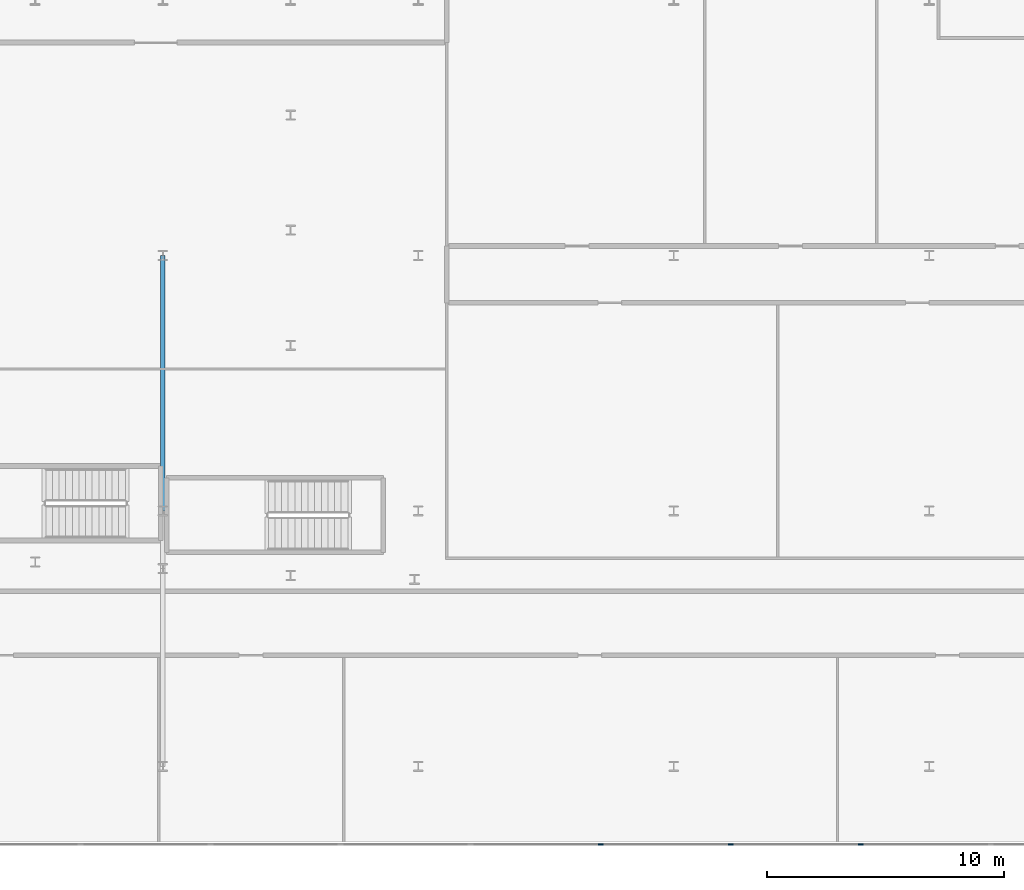
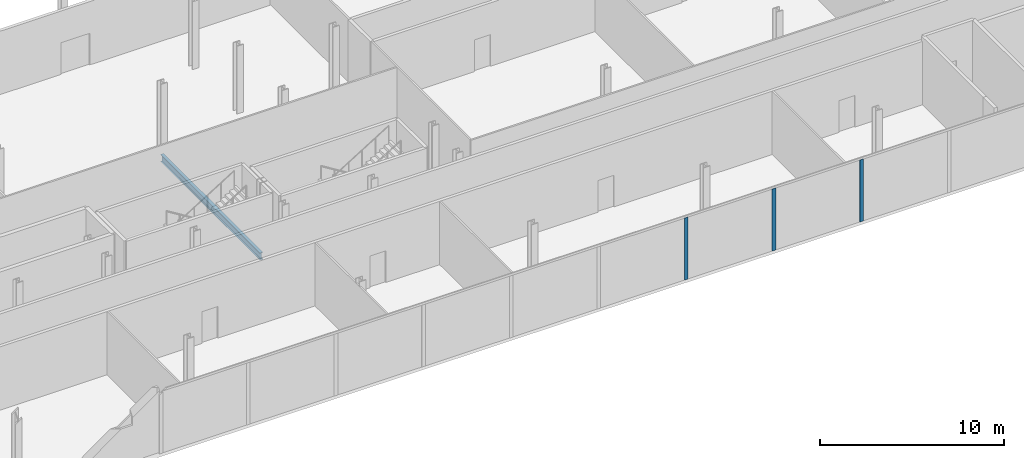
# One storey, part 12 of 43: 3 members, 1 beam, 1 element without a shape of its own.
"""IFC4 building model written with IfcOpenShell, lengths in metres."""

from ifc_helpers import new_model, si_unit, direction, frame, origin, origin_2d, place, context, subcontext, project, spatial, rectangle, i_section, extrude, material, layer, layer_set, material_profile, profile_set, type_object, element, aggregate, save


model = new_model("IFC4")

# Units and contexts
model_context = context("Model", 3, precision=1e-05, world=origin(), true_north=direction((0.0, 1.0)))
body_context = subcontext(model_context, "Body", "Model", "MODEL_VIEW")
ifc_project = project(units=[si_unit("LENGTHUNIT", "METRE"), si_unit("AREAUNIT", "SQUARE_METRE"), si_unit("VOLUMEUNIT", "CUBIC_METRE"), si_unit("PLANEANGLEUNIT", "RADIAN"), si_unit("MASSUNIT", "GRAM", prefix="KILO")], contexts=[model_context])

# Site, building, storey
site_placement = place(None, origin())
site = spatial("IfcSite", under=ifc_project, at=site_placement, CompositionType="ELEMENT")
building_placement = place(site_placement, origin())
building = spatial("IfcBuilding", under=site, at=building_placement, Name="Kheshtan School and Residences Tower", CompositionType="ELEMENT")
storey_placement = place(building_placement, frame((0.0, 0.0, 26.0)))
storey = spatial("IfcBuildingStorey", under=building, at=storey_placement, Name="L05", CompositionType="ELEMENT", Elevation=26.0)

# Beam
ifc_material_1 = material(Name="Steel ASTM A992 Grade 50", Category="steel")
ifc_material_profile_1 = material_profile(ifc_material_1, i_section(OverallWidth=0.194091796875, OverallDepth=0.468994140625, WebThickness=0.0126953125, FlangeThickness=0.0205078125, FilletRadius=0.01416015625, at=origin_2d()), Name="W460x106")
ifc_profile_set_1 = profile_set([ifc_material_profile_1], Name="Steel ASTM A992 Grade 50")
beam_type = type_object("IfcBeamType", Name="Beam PB2 W460x106 ASTM A992 Grade 50", PredefinedType="BEAM", material=ifc_profile_set_1)
beam_placement = place(storey_placement, frame((80.0, 24.0, -0.534423828125), z_axis=(0.0, 1.0, 0.0), x_axis=(-1.0, 0.0, 0.0)))
element("IfcBeam", 1, at=beam_placement, inside=storey, type_object=beam_type, Name="Podium floor beam PB2", PredefinedType="BEAM", context=body_context, shape_type="SweptSolid", body=[
    extrude(i_section(OverallWidth=0.194091796875, OverallDepth=0.468994140625, WebThickness=0.0126953125, FlangeThickness=0.0205078125, FilletRadius=0.01416015625, at=origin_2d()), origin(), (0.0, 0.0, 1.0), 10.800048828125),
])

# Curtain wall, members
ifc_material_2 = material(Name="Clear low-e glass in thermally broken aluminium frame", Category="aluminium")
ifc_layer = layer(ifc_material_2, 0.22509765625)
ifc_layer_set = layer_set([ifc_layer], Name="Curtain wall CW-P")
curtain_wall_type = type_object("IfcCurtainWallType", Name="Curtain wall CW-P", PredefinedType="NOTDEFINED", material=ifc_layer_set)
curtain_wall_placement = place(storey_placement, origin())
curtain_wall = element("IfcCurtainWall", 2, at=curtain_wall_placement, inside=storey, type_object=curtain_wall_type, Name="Curtain wall CWP12a", PredefinedType="NOTDEFINED")
ifc_material_3 = material(Name="Thermally broken aluminium, dark bronze anodised", Category="aluminium")
ifc_material_profile_2 = material_profile(ifc_material_3, rectangle(XDim=0.06005859375, YDim=0.22509765625, at=origin_2d()), Name="CW-P mullion 60x225")
ifc_profile_set_2 = profile_set([ifc_material_profile_2], Name="Thermally broken aluminium, dark bronze anodised")
member_type = type_object("IfcMemberType", Name="CW-P mullion 60x225", PredefinedType="MULLION", material=ifc_profile_set_2)
member_1_placement = place(storey_placement, frame((109.50537109375, 9.89990234375, 0.0), z_axis=(0.0, 0.0, 1.0), x_axis=(0.0, -1.0, 0.0)))
member_1 = element("IfcMember", 3, at=member_1_placement, type_object=member_type, Name="CWP12a mullion 4", PredefinedType="MULLION", context=body_context, shape_type="SweptSolid", body=[
    extrude(rectangle(XDim=0.06005859375, YDim=0.22509765625, at=origin_2d()), origin(), (0.0, 0.0, 1.0), 4.110107421875),
])
member_2_placement = place(storey_placement, frame((104.00732421875, 9.89990234375, 0.0), z_axis=(0.0, 0.0, 1.0), x_axis=(0.0, -1.0, 0.0)))
member_2 = element("IfcMember", 4, at=member_2_placement, type_object=member_type, Name="CWP12a mullion 5", PredefinedType="MULLION", context=body_context, shape_type="SweptSolid", body=[
    extrude(rectangle(XDim=0.06005859375, YDim=0.22509765625, at=origin_2d()), origin(), (0.0, 0.0, 1.0), 4.110107421875),
])
member_3_placement = place(storey_placement, frame((98.509033203125, 9.89990234375, 0.0), z_axis=(0.0, 0.0, 1.0), x_axis=(0.0, -1.0, 0.0)))
member_3 = element("IfcMember", 5, at=member_3_placement, type_object=member_type, Name="CWP12a mullion 6", PredefinedType="MULLION", context=body_context, shape_type="SweptSolid", body=[
    extrude(rectangle(XDim=0.06005859375, YDim=0.22509765625, at=origin_2d()), origin(), (0.0, 0.0, 1.0), 4.110107421875),
])
aggregate(curtain_wall, [member_1, member_2, member_3])

save(model, "model.ifc")
